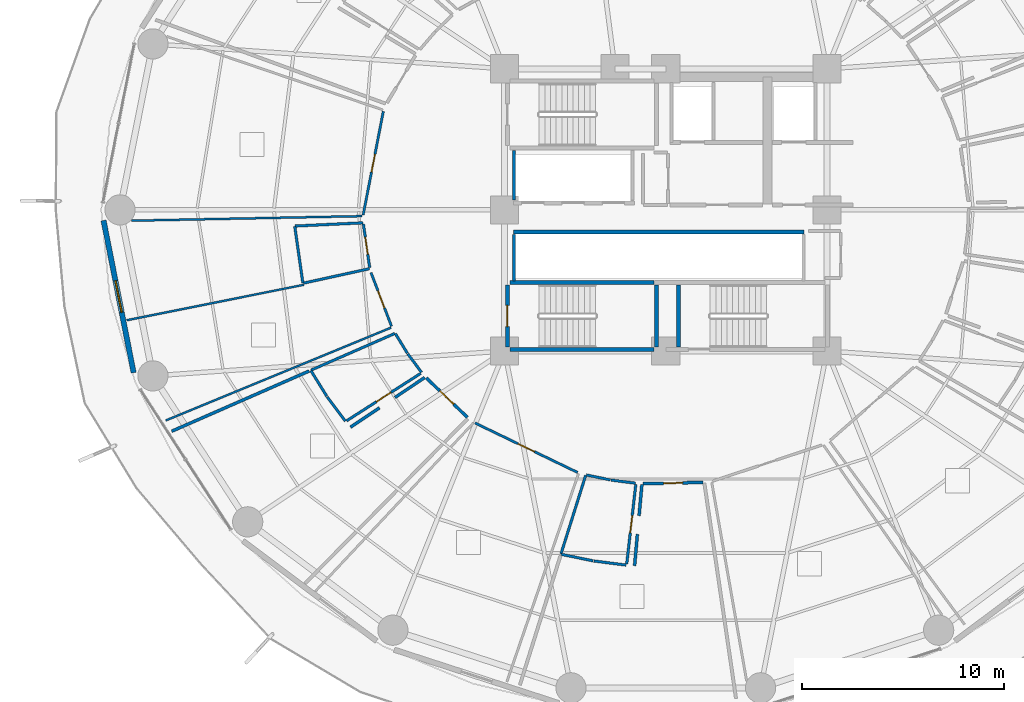
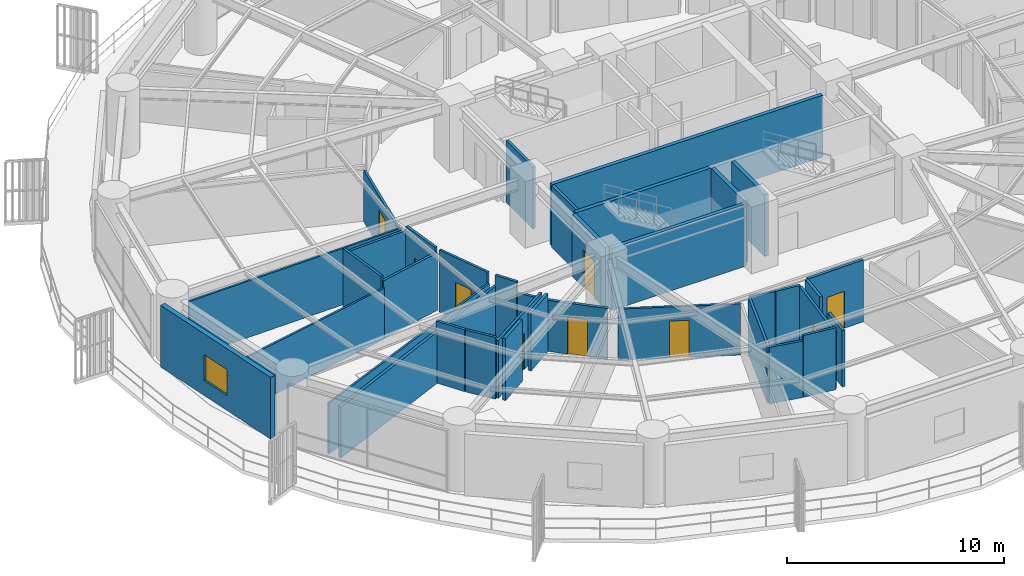
# One storey, part 24 of 34: 38 walls, 9 doors, 1 window, 10 openings.
"""IFC4 building model written with IfcOpenShell, lengths in metres."""

import ifcopenshell
import ifcopenshell.guid

model = None  # the IFC model being written
_history = None  # IfcOwnerHistory: only IFC2X3 demands one
_inside = {}  # id of a spatial element -> (the spatial element, [elements in it])
_under = {}  # id of a project, library or spatial element -> (it, [spatial elements below it])
_declared = {}  # id of a project -> (the project, [libraries it declares])
_typed = {}  # id of a type object -> (the type object, [elements of that type])
_made_of = {}  # id of a material, layer set ... -> (it, [elements and type objects made of it])


def new_model(schema):
    """Start an empty IFC model of exactly this schema.

    Asked for "IFC4X3", IfcOpenShell would pick the latest addendum, in which some entities
    have other attributes; the version numbers below select the first issue.
    IFC2X3 requires an IfcOwnerHistory on every rooted entity: one is made here for all.
    """
    global model, _history
    if schema == "IFC4X3":
        model = ifcopenshell.file(schema_version=(4, 3, 0, 0))
    else:
        model = ifcopenshell.file(schema=schema)
    _inside.clear()
    _under.clear()
    _declared.clear()
    _typed.clear()
    _made_of.clear()
    _history = None
    if model.schema == "IFC2X3":
        org = make("IfcOrganization", Name="unknown")
        user = make(
            "IfcPersonAndOrganization",
            ThePerson=make("IfcPerson", FamilyName="unknown"),
            TheOrganization=org,
        )
        app = make(
            "IfcApplication",
            ApplicationDeveloper=org,
            Version="unknown",
            ApplicationFullName="unknown",
            ApplicationIdentifier="unknown",
        )
        _history = make(
            "IfcOwnerHistory",
            OwningUser=user,
            OwningApplication=app,
            ChangeAction="ADDED",
            CreationDate=0,
        )
    return model


def make(cls, **values):
    """One entity of the class cls with the attributes given. An attribute that is None is left unset."""
    return model.create_entity(
        cls, **{name: value for name, value in values.items() if value is not None}
    )


def rooted(cls, **values):
    """An entity with a GlobalId (a new one), such as an element, a storey or a relation."""
    return make(cls, GlobalId=ifcopenshell.guid.new(), OwnerHistory=_history, **values)


def si_unit(unit_type, name, prefix=None):
    """IfcSIUnit, for example si_unit("LENGTHUNIT", "METRE", prefix="MILLI")."""
    return make("IfcSIUnit", UnitType=unit_type, Prefix=prefix, Name=name)


def assignment(units):
    """IfcUnitAssignment: the units of a project."""
    return None if units is None else make("IfcUnitAssignment", Units=units)


def point(xyz):
    """IfcCartesianPoint."""
    return None if xyz is None else make("IfcCartesianPoint", Coordinates=xyz)


def direction(xyz):
    """IfcDirection."""
    return None if xyz is None else make("IfcDirection", DirectionRatios=xyz)


def frame(location, z_axis=None, x_axis=None):
    """IfcAxis2Placement3D, a coordinate frame: its origin and axes. An axis left out is left unset."""
    return make(
        "IfcAxis2Placement3D",
        Location=point(location),
        Axis=direction(z_axis),
        RefDirection=direction(x_axis),
    )


def frame_2d(location, x_axis=None):
    """IfcAxis2Placement2D, a coordinate frame in the plane: its origin and x axis."""
    return make(
        "IfcAxis2Placement2D", Location=point(location), RefDirection=direction(x_axis)
    )


def origin():
    """The frame at (0, 0, 0) with its axes left unset."""
    return frame((0.0, 0.0, 0.0))


def place(relative_to, where):
    """IfcLocalPlacement: puts the frame where relative to a parent placement (None: the world)."""
    return make(
        "IfcLocalPlacement", PlacementRelTo=relative_to, RelativePlacement=where
    )


def context(
    kind, dimensions, precision=None, world=None, true_north=None, identifier=None
):
    """IfcGeometricRepresentationContext, for example the 3D "Model" context."""
    return make(
        "IfcGeometricRepresentationContext",
        ContextIdentifier=identifier,
        ContextType=kind,
        CoordinateSpaceDimension=dimensions,
        Precision=precision,
        WorldCoordinateSystem=world,
        TrueNorth=true_north,
    )


def subcontext(parent, identifier, kind, view, scale=None):
    """IfcGeometricRepresentationSubContext, for example "Body" below "Model"."""
    return make(
        "IfcGeometricRepresentationSubContext",
        ContextIdentifier=identifier,
        ContextType=kind,
        ParentContext=parent,
        TargetScale=scale,
        TargetView=view,
    )


def project(units=None, contexts=None):
    """IfcProject with its units and contexts."""
    return rooted(
        "IfcProject",
        Name="project",
        RepresentationContexts=contexts,
        UnitsInContext=assignment(units),
    )


def spatial(cls, under=None, at=None, **own):
    """A site, building, storey or space (cls), placed at a placement, below another one or the project."""
    s = rooted(cls, ObjectPlacement=at, **own)
    if under is not None:
        _under.setdefault(under.id(), (under, []))[1].append(s)
    return s


def profile(cls, at=None, kind="AREA", **sizes):
    """A parametric profile (cls). Its sizes go by their IFC names, for example OverallWidth=200.0."""
    return make(cls, ProfileType=kind, Position=at, **sizes)


def rectangle(**sizes):
    """IfcRectangleProfileDef."""
    return profile("IfcRectangleProfileDef", **sizes)


def extrude(swept, where, along, depth):
    """IfcExtrudedAreaSolid: the profile swept, set in the frame where, extruded along a direction by depth."""
    return make(
        "IfcExtrudedAreaSolid",
        SweptArea=swept,
        Position=where,
        ExtrudedDirection=direction(along),
        Depth=depth,
    )


def shape(context_of_items, identifier, shape_type, items):
    """IfcShapeRepresentation: the items that make up one representation, for example the "Body"."""
    return make(
        "IfcShapeRepresentation",
        ContextOfItems=context_of_items,
        RepresentationIdentifier=identifier,
        RepresentationType=shape_type,
        Items=items,
    )


def material(Name=None, Category=None):
    """IfcMaterial."""
    return make("IfcMaterial", Name=Name, Category=Category)


def layer(
    of_material, thickness, ventilated=None, Name=None, Category=None, Priority=None
):
    """IfcMaterialLayer: one layer of a wall or slab, of a material (None: an air gap)."""
    return make(
        "IfcMaterialLayer",
        Material=of_material,
        LayerThickness=thickness,
        IsVentilated=ventilated,
        Name=Name,
        Category=Category,
        Priority=Priority,
    )


def layer_set(layers, Name=None):
    """IfcMaterialLayerSet."""
    return make("IfcMaterialLayerSet", MaterialLayers=layers, LayerSetName=Name)


def made_of(thing, what):
    """Note that an element or type object is made of a material, layer set ...; save() writes the relation."""
    if what is not None:
        _made_of.setdefault(what.id(), (what, []))[1].append(thing)
    return thing


def type_object(cls, material=None, **own):
    """A type object (cls), such as IfcWallType, which elements share."""
    return made_of(rooted(cls, **own), material)


def element(
    cls,
    number,
    at=None,
    inside=None,
    cuts=None,
    type_object=None,
    material=None,
    context=None,
    identifier="Body",
    shape_type=None,
    held_by="IfcProductDefinitionShape",
    body=None,
    shapes=None,
    **own,
):
    """One element of the class cls, such as IfcWall. Its Tag is "e" and its number.

    at: its placement. inside: the storey or other place that contains it. cuts: it is an
    opening in that element (IfcRelVoidsElement). A single representation is given by context,
    identifier, shape_type and body (its items); several are given by shapes. held_by: the class
    of the entity that holds the representations. save() writes the other relations.
    """
    e = rooted(cls, Tag="e%d" % number, ObjectPlacement=at, **own)
    if body is not None:
        shapes = [shape(context, identifier, shape_type, body)]
    if shapes is not None:
        e.Representation = make(held_by, Representations=shapes)
    if inside is not None:
        _inside.setdefault(inside.id(), (inside, []))[1].append(e)
    if cuts is not None:
        rooted(
            "IfcRelVoidsElement", RelatingBuildingElement=cuts, RelatedOpeningElement=e
        )
    if type_object is not None:
        _typed.setdefault(type_object.id(), (type_object, []))[1].append(e)
    return made_of(e, material)


def fill(opening, filler):
    """IfcRelFillsElement: the door or window that sits in an opening."""
    return rooted(
        "IfcRelFillsElement",
        RelatingOpeningElement=opening,
        RelatedBuildingElement=filler,
    )


def aggregate(whole, parts):
    """IfcRelAggregates: a whole, such as a stair, and the parts it consists of."""
    return rooted("IfcRelAggregates", RelatingObject=whole, RelatedObjects=parts)


def save(model, path):
    """Write the relations noted so far, then the file.

    IfcRelAggregates (storeys below a building ...), IfcRelContainedInSpatialStructure (elements
    in a storey), IfcRelDefinesByType, IfcRelAssociatesMaterial and IfcRelDeclares: one each for
    every whole, place, type object, material and project.
    """
    for whole, parts in _under.values():
        aggregate(whole, parts)
    for where, things in _inside.values():
        rooted(
            "IfcRelContainedInSpatialStructure",
            RelatedElements=things,
            RelatingStructure=where,
        )
    for kind, things in _typed.values():
        rooted("IfcRelDefinesByType", RelatedObjects=things, RelatingType=kind)
    for what, things in _made_of.values():
        rooted("IfcRelAssociatesMaterial", RelatedObjects=things, RelatingMaterial=what)
    for by, libraries in _declared.values():
        rooted("IfcRelDeclares", RelatingContext=by, RelatedDefinitions=libraries)
    model.write(path)


model = new_model("IFC4")

# Units and contexts
model_context = context("Model", 3, precision=1e-05, world=origin(), true_north=direction((0.0, 1.0)))
body_context = subcontext(model_context, "Body", "Model", "MODEL_VIEW")
ifc_project = project(units=[si_unit("LENGTHUNIT", "METRE"), si_unit("AREAUNIT", "SQUARE_METRE"), si_unit("VOLUMEUNIT", "CUBIC_METRE"), si_unit("PLANEANGLEUNIT", "RADIAN"), si_unit("MASSUNIT", "GRAM", prefix="KILO")], contexts=[model_context])

# Site, building, storey
site_placement = place(None, origin())
site = spatial("IfcSite", under=ifc_project, at=site_placement, CompositionType="ELEMENT")
building_placement = place(site_placement, origin())
building = spatial("IfcBuilding", under=site, at=building_placement, Name="Kelanora Arch Commons", CompositionType="ELEMENT")
storey_placement = place(building_placement, frame((0.0, 0.0, 33.75)))
storey = spatial("IfcBuildingStorey", under=building, at=storey_placement, Name="L08", CompositionType="ELEMENT", Elevation=33.75)

# Walls
ifc_material_1 = material(Name="Autoclaved aerated concrete blockwork with fire plaster", Category="masonry")
ifc_layer_1 = layer(ifc_material_1, 0.14990234375)
ifc_layer_set_1 = layer_set([ifc_layer_1], Name="Autoclaved aerated concrete blockwork with fire plaster")
wall_type_1 = type_object("IfcWallType", Name="W-COMP-150", PredefinedType="PARTITIONING", material=ifc_layer_set_1)
wall_1_placement = place(storey_placement, frame((66.4599609375, 58.47998046875, 0.0), z_axis=(0.0, 0.0, 1.0), x_axis=(0.0, 1.0, 0.0)))
element("IfcWall", 1, at=wall_1_placement, inside=storey, type_object=wall_type_1, Name="Low-Rise Lift Bank West Wall L08", PredefinedType="PARTITIONING", context=body_context, shape_type="SweptSolid", body=[
    extrude(rectangle(XDim=2.4599609375, YDim=0.14990234375, at=frame_2d((1.22998046875, 0.0))), origin(), (0.0, 0.0, 1.0), 3.47998046875),
])
wall_2_placement = place(storey_placement, frame((66.4599609375, 54.47998046875, 0.0), z_axis=(0.0, 0.0, 1.0), x_axis=(0.0, 1.0, 0.0)))
element("IfcWall", 2, at=wall_2_placement, inside=storey, type_object=wall_type_1, Name="South Lift Bank West Wall L08", PredefinedType="PARTITIONING", context=body_context, shape_type="SweptSolid", body=[
    extrude(rectangle(XDim=2.2900390625, YDim=0.14990234375, at=frame_2d((1.14501953125, 0.0))), origin(), (0.0, 0.0, 1.0), 3.47998046875),
])

# Wall, opening, door
wall_3_placement = place(storey_placement, frame((62.118408203125, 49.66259765625, 0.0), z_axis=(0.0, 0.0, 1.0), x_axis=(0.721698326825, -0.692207718144, 0.0)))
wall_3 = element("IfcWall", 3, at=wall_3_placement, inside=storey, type_object=wall_type_1, Name="Co-Living Studio L08-09 Entry Partition", PredefinedType="PARTITIONING", context=body_context, shape_type="SweptSolid", body=[
    extrude(rectangle(XDim=2.822998046875, YDim=0.14990234375, at=frame_2d((1.41162109375, 0.0))), origin(), (0.0, 0.0, 1.0), 2.875),
])
opening_1_placement = place(wall_3_placement, frame((0.93603515625, 0.0, 0.0)))
opening_1 = element("IfcOpeningElement", 4, at=opening_1_placement, cuts=wall_3, Name="Opening D-CLU1", PredefinedType="OPENING", context=body_context, shape_type="SweptSolid", body=[
    extrude(rectangle(XDim=0.949951171875, YDim=2.080078125, at=frame_2d((0.47509765625, 1.0400390625))), frame((0.0, 0.0849609375, 0.0), z_axis=(0.0, -1.0, 0.0), x_axis=(1.0, 0.0, 0.0)), (0.0, 0.0, 1.0), 0.169921875),
])
ifc_material_2 = material(Name="Solid-core acoustic timber cluster entry fire door", Category="wood")
door_type_1 = type_object("IfcDoorType", Name="D-CLU-95", OperationType="NOTDEFINED", PredefinedType="DOOR", material=ifc_material_2)
door_1_placement = place(opening_1_placement, origin())
door_1 = element("IfcDoor", 5, at=door_1_placement, inside=storey, type_object=door_type_1, Name="Co-Living Studio L08-09 Door", OperationType="SINGLE_SWING_RIGHT", OverallHeight=2.080078125, OverallWidth=0.949951171875, PredefinedType="DOOR", context=body_context, shape_type="SweptSolid", body=[
    extrude(rectangle(XDim=0.949951171875, YDim=2.080078125, at=frame_2d((0.47509765625, 1.0400390625))), frame((0.0, 0.02490234375, 0.0), z_axis=(0.0, -1.0, 0.0), x_axis=(1.0, 0.0, 0.0)), (0.0, 0.0, 1.0), 0.050048828125),
])
fill(opening_1, door_1)

wall_4_placement = place(storey_placement, frame((72.87890625, 44.413330078125, 0.0), z_axis=(0.0, 0.0, 1.0), x_axis=(0.999757617916, 0.022016026426, 0.0)))
wall_4 = element("IfcWall", 6, at=wall_4_placement, inside=storey, type_object=wall_type_1, Name="Co-Living Studio L08-11 Entry Partition", PredefinedType="PARTITIONING", context=body_context, shape_type="SweptSolid", body=[
    extrude(rectangle(XDim=2.971923828125, YDim=0.14990234375, at=frame_2d((1.48583984375, 0.0))), origin(), (0.0, 0.0, 1.0), 3.47998046875),
])
opening_2_placement = place(wall_4_placement, frame((1.010986328125, 0.0, 0.0)))
opening_2 = element("IfcOpeningElement", 7, at=opening_2_placement, cuts=wall_4, Name="Opening D-CLU1", PredefinedType="OPENING", context=body_context, shape_type="SweptSolid", body=[
    extrude(rectangle(XDim=0.949951171875, YDim=2.080078125, at=frame_2d((0.47509765625, 1.0400390625))), frame((0.0, 0.0849609375, 0.0), z_axis=(0.0, -1.0, 0.0), x_axis=(1.0, 0.0, 0.0)), (0.0, 0.0, 1.0), 0.169921875),
])
door_2_placement = place(opening_2_placement, origin())
door_2 = element("IfcDoor", 8, at=door_2_placement, inside=storey, type_object=door_type_1, Name="Co-Living Studio L08-11 Door", OperationType="SINGLE_SWING_LEFT", OverallHeight=2.080078125, OverallWidth=0.949951171875, PredefinedType="DOOR", context=body_context, shape_type="SweptSolid", body=[
    extrude(rectangle(XDim=0.949951171875, YDim=2.080078125, at=frame_2d((0.47509765625, 1.0400390625))), frame((0.0, 0.02490234375, 0.0), z_axis=(0.0, -1.0, 0.0), x_axis=(1.0, 0.0, 0.0)), (0.0, 0.0, 1.0), 0.050048828125),
])
fill(opening_2, door_2)

# Walls
wall_5_placement = place(storey_placement, frame((49.486572265625, 47.01708984375, 0.0), z_axis=(0.0, 0.0, 1.0), x_axis=(0.915920983282, 0.401358633124, 0.0)))
element("IfcWall", 9, at=wall_5_placement, inside=storey, type_object=wall_type_1, Name="Co-Living Studio L08-09 Enclosure Partition 5", PredefinedType="PARTITIONING", context=body_context, shape_type="SweptSolid", body=[
    extrude(rectangle(XDim=7.448974609375, YDim=0.14990234375, at=frame_2d((3.724609375, 0.0))), origin(), (0.0, 0.0, 1.0), 2.875),
])
wall_6_placement = place(storey_placement, frame((58.354248046875, 47.21630859375, 0.0), z_axis=(0.0, 0.0, 1.0), x_axis=(0.831292382958, 0.555835383937, 0.0)))
element("IfcWall", 10, at=wall_6_placement, inside=storey, type_object=wall_type_1, Name="Co-Living Studio L08-09 Enclosure Partition 7", PredefinedType="PARTITIONING", context=body_context, shape_type="SweptSolid", body=[
    extrude(rectangle(XDim=1.736328125, YDim=0.14990234375, at=frame_2d((0.8681640625, 0.0))), origin(), (0.0, 0.0, 1.0), 3.47998046875),
])
wall_7_placement = place(storey_placement, frame((60.562744140625, 48.69287109375, 0.0), z_axis=(0.0, 0.0, 1.0), x_axis=(0.831268380724, 0.555871279352, 0.0)))
element("IfcWall", 11, at=wall_7_placement, inside=storey, type_object=wall_type_1, Name="Co-Living Studio L08-09 Enclosure Partition 7", PredefinedType="PARTITIONING", context=body_context, shape_type="SweptSolid", body=[
    extrude(rectangle(XDim=1.779296875, YDim=0.14990234375, at=frame_2d((0.8896484375, 0.0))), origin(), (0.0, 0.0, 1.0), 3.235107421875),
])
wall_8_placement = place(storey_placement, frame((72.45166015625, 40.341796875, 0.0), z_axis=(0.0, 0.0, 1.0), x_axis=(0.089821137984, 0.995957912349, 0.0)))
element("IfcWall", 12, at=wall_8_placement, inside=storey, type_object=wall_type_1, Name="Co-Living Studio L08-11 Enclosure Partition 7", PredefinedType="PARTITIONING", context=body_context, shape_type="SweptSolid", body=[
    extrude(rectangle(XDim=1.571044921875, YDim=0.14990234375, at=frame_2d((0.78564453125, 0.0))), origin(), (0.0, 0.0, 1.0), 3.175048828125),
])
wall_9_placement = place(storey_placement, frame((72.675537109375, 42.822998046875, 0.0), z_axis=(0.0, 0.0, 1.0), x_axis=(0.089927260711, 0.9959483359, 0.0)))
element("IfcWall", 13, at=wall_9_placement, inside=storey, type_object=wall_type_1, Name="Co-Living Studio L08-11 Enclosure Partition 7", PredefinedType="PARTITIONING", context=body_context, shape_type="SweptSolid", body=[
    extrude(rectangle(XDim=1.5556640625, YDim=0.14990234375, at=frame_2d((0.77783203125, 0.0))), origin(), (0.0, 0.0, 1.0), 3.47998046875),
])

# Wall, opening, window
ifc_material_3 = material(Name="Precast concrete C40/50 with terracotta rainscreen", Category="masonry")
ifc_layer_2 = layer(ifc_material_3, 0.260009765625)
ifc_layer_set_2 = layer_set([ifc_layer_2], Name="Precast concrete C40/50 with terracotta rainscreen")
wall_type_2 = type_object("IfcWallType", Name="W-EXT-TC", PredefinedType="SOLIDWALL", material=ifc_layer_set_2)
wall_10_placement = place(storey_placement, frame((46.103515625, 57.4765625, 0.0), z_axis=(0.0, 0.0, 1.0), x_axis=(0.193726159581, -0.98105564322, 0.0)))
wall_10 = element("IfcWall", 14, at=wall_10_placement, inside=storey, type_object=wall_type_2, Name="Terracotta Exterior Wall L08-B09", PredefinedType="SOLIDWALL", context=body_context, shape_type="SweptSolid", body=[
    extrude(rectangle(XDim=7.70263671875, YDim=0.260009765625, at=frame_2d((3.851318359375, 0.0))), origin(), (0.0, 0.0, 1.0), 3.47509765625),
])
opening_3_placement = place(wall_10_placement, frame((3.051025390625, 0.0, 0.85009765625)))
opening_3 = element("IfcOpeningElement", 15, at=opening_3_placement, cuts=wall_10, Name="Opening WN-01", PredefinedType="OPENING", context=body_context, shape_type="SweptSolid", body=[
    extrude(rectangle(XDim=1.60009765625, YDim=1.449951171875, at=frame_2d((0.800048828125, 0.72509765625))), frame((0.0, 0.14013671875, 0.0), z_axis=(0.0, -1.0, 0.0), x_axis=(1.0, 0.0, 0.0)), (0.0, 0.0, 1.0), 0.280029296875),
])
ifc_material_4 = material(Name="Terracotta-anodised aluminium frame with operable low-E glazing", Category="masonry")
window_type = type_object("IfcWindowType", Name="WIN-CL-18", PartitioningType="DOUBLE_PANEL_VERTICAL", PredefinedType="WINDOW", material=ifc_material_4)
window_placement = place(opening_3_placement, origin())
window = element("IfcWindow", 16, at=window_placement, inside=storey, type_object=window_type, Name="Co-Living Operable Window L08-B09", OverallHeight=1.449951171875, OverallWidth=1.60009765625, PartitioningType="SINGLE_PANEL", PredefinedType="WINDOW", context=body_context, shape_type="SweptSolid", body=[
    extrude(rectangle(XDim=1.60009765625, YDim=1.449951171875, at=frame_2d((0.800048828125, 0.72509765625))), frame((0.0, 0.030029296875, 0.0), z_axis=(0.0, -1.0, 0.0), x_axis=(1.0, 0.0, 0.0)), (0.0, 0.0, 1.0), 0.06005859375),
])
fill(opening_3, window)

# Walls
ifc_material_5 = material(Name="Concrete C40/50", Category="concrete")
ifc_layer_3 = layer(ifc_material_5, 0.199951171875)
ifc_layer_set_3 = layer_set([ifc_layer_3], Name="Concrete C40/50")
wall_type_3 = type_object("IfcWallType", Name="W-FFL-200", PredefinedType="SOLIDWALL", material=ifc_layer_set_3)
wall_11_placement = place(storey_placement, frame((66.449951171875, 56.89990234375, 0.0), z_axis=(0.0, 0.0, 1.0), x_axis=(1.0, 0.0, 0.0)))
element("IfcWall", 17, at=wall_11_placement, inside=storey, type_object=wall_type_3, Name="Mid/High/Express Lift Shaft Front L08", PredefinedType="SOLIDWALL", context=body_context, shape_type="SweptSolid", body=[
    extrude(rectangle(XDim=14.400146484375, YDim=0.199951171875, at=frame_2d((7.2001953125, 0.0))), origin(), (0.0, 0.0, 1.0), 3.47998046875),
])
ifc_material_6 = material(Name="Lightweight fire-rated acoustic stud partition")
ifc_layer_4 = layer(ifc_material_6, 0.10009765625)
ifc_layer_set_4 = layer_set([ifc_layer_4], Name="Lightweight fire-rated acoustic stud partition")
wall_type_4 = type_object("IfcWallType", Name="W-PART-100", PredefinedType="PARTITIONING", material=ifc_layer_set_4)
wall_12_placement = place(storey_placement, frame((58.93408203125, 57.690185546875, 0.0), z_axis=(0.0, 0.0, 1.0), x_axis=(-0.999804870307, -0.019754020094, 0.0)))
element("IfcWall", 18, at=wall_12_placement, inside=storey, type_object=wall_type_4, Name="Quiet Seminar Study Room L08-07 Enclosure Partition 2", PredefinedType="PARTITIONING", context=body_context, shape_type="SweptSolid", body=[
    extrude(rectangle(XDim=11.456787109375, YDim=0.10009765625, at=frame_2d((5.728515625, 0.0))), origin(), (0.0, 0.0, 1.0), 3.175048828125),
])
wall_13_placement = place(storey_placement, frame((60.375, 52.159912109375, 0.0), z_axis=(0.0, 0.0, 1.0), x_axis=(-0.924608681042, -0.380918346817, 0.0)))
element("IfcWall", 19, at=wall_13_placement, inside=storey, type_object=wall_type_4, Name="Tutorial Study Alcove L08-08 Enclosure Partition 2", PredefinedType="PARTITIONING", context=body_context, shape_type="SweptSolid", body=[
    extrude(rectangle(XDim=12.09375, YDim=0.10009765625, at=frame_2d((6.046875, 0.0))), origin(), (0.0, 0.0, 1.0), 2.875),
])
wall_14_placement = place(storey_placement, frame((47.257080078125, 52.52490234375, 0.0), z_axis=(0.0, 0.0, 1.0), x_axis=(0.980535537362, 0.196341691878, 0.0)))
element("IfcWall", 20, at=wall_14_placement, inside=storey, type_object=wall_type_4, Name="Tutorial Study Alcove L08-08 Enclosure Partition 4", PredefinedType="PARTITIONING", context=body_context, shape_type="SweptSolid", body=[
    extrude(rectangle(XDim=8.950439453125, YDim=0.10009765625, at=frame_2d((4.47509765625, 0.0))), origin(), (0.0, 0.0, 1.0), 2.875),
])

# Wall, opening, door
ifc_material_7 = material(Name="Acoustic twin-stud fire-rated gypsum partition")
ifc_layer_5 = layer(ifc_material_7, 0.1201171875)
ifc_layer_set_5 = layer_set([ifc_layer_5], Name="Acoustic twin-stud fire-rated gypsum partition")
wall_type_5 = type_object("IfcWallType", Name="W-PART-120", PredefinedType="PARTITIONING", material=ifc_layer_set_5)
wall_15_placement = place(storey_placement, frame((59.985595703125, 62.89208984375, 0.0), z_axis=(0.0, 0.0, 1.0), x_axis=(-0.190897102704, -0.981610053015, 0.0)))
wall_15 = element("IfcWall", 21, at=wall_15_placement, inside=storey, type_object=wall_type_5, Name="Quiet Seminar Study Room L08-07 Entry Partition", PredefinedType="PARTITIONING", context=body_context, shape_type="SweptSolid", body=[
    extrude(rectangle(XDim=5.238525390625, YDim=0.1201171875, at=frame_2d((2.619140625, 0.0))), origin(), (0.0, 0.0, 1.0), 2.875),
])
opening_4_placement = place(wall_15_placement, frame((2.1689453125, 0.0, 0.0)))
opening_4 = element("IfcOpeningElement", 22, at=opening_4_placement, cuts=wall_15, Name="Opening D-RM1", PredefinedType="OPENING", context=body_context, shape_type="SweptSolid", body=[
    extrude(rectangle(XDim=0.89990234375, YDim=2.080078125, at=frame_2d((0.449951171875, 1.0400390625))), frame((0.0, 0.070068359375, 0.0), z_axis=(0.0, -1.0, 0.0), x_axis=(1.0, 0.0, 0.0)), (0.0, 0.0, 1.0), 0.14013671875),
])
ifc_material_8 = material(Name="Acoustic fire-rated timber study and lounge door", Category="wood")
door_type_2 = type_object("IfcDoorType", Name="D-ROOM-90", OperationType="NOTDEFINED", PredefinedType="DOOR", material=ifc_material_8)
door_3_placement = place(opening_4_placement, origin())
door_3 = element("IfcDoor", 23, at=door_3_placement, inside=storey, type_object=door_type_2, Name="Quiet Seminar Study Room L08-07 Door", OperationType="SINGLE_SWING_RIGHT", OverallHeight=2.080078125, OverallWidth=0.89990234375, PredefinedType="DOOR", context=body_context, shape_type="SweptSolid", body=[
    extrude(rectangle(XDim=0.89990234375, YDim=2.080078125, at=frame_2d((0.449951171875, 1.0400390625))), frame((0.0, 0.02490234375, 0.0), z_axis=(0.0, -1.0, 0.0), x_axis=(1.0, 0.0, 0.0)), (0.0, 0.0, 1.0), 0.050048828125),
])
fill(opening_4, door_3)

wall_16_placement = place(storey_placement, frame((59.373291015625, 54.89111328125, 0.0), z_axis=(0.0, 0.0, 1.0), x_axis=(0.357203455119, -0.934026601147, 0.0)))
wall_16 = element("IfcWall", 24, at=wall_16_placement, inside=storey, type_object=wall_type_5, Name="Tutorial Study Alcove L08-08 Entry Partition", PredefinedType="PARTITIONING", context=body_context, shape_type="SweptSolid", body=[
    extrude(rectangle(XDim=2.84814453125, YDim=0.1201171875, at=frame_2d((1.424072265625, 0.0))), origin(), (0.0, 0.0, 1.0), 3.47998046875),
])
opening_5_placement = place(wall_16_placement, frame((0.97412109375, 0.0, 0.0)))
opening_5 = element("IfcOpeningElement", 25, at=opening_5_placement, cuts=wall_16, Name="Opening D-RM1", PredefinedType="OPENING", context=body_context, shape_type="SweptSolid", body=[
    extrude(rectangle(XDim=0.89990234375, YDim=2.080078125, at=frame_2d((0.449951171875, 1.0400390625))), frame((0.0, 0.070068359375, 0.0), z_axis=(0.0, -1.0, 0.0), x_axis=(1.0, 0.0, 0.0)), (0.0, 0.0, 1.0), 0.14013671875),
])
door_4_placement = place(opening_5_placement, origin())
door_4 = element("IfcDoor", 26, at=door_4_placement, inside=storey, type_object=door_type_2, Name="Tutorial Study Alcove L08-08 Door", OperationType="SINGLE_SWING_RIGHT", OverallHeight=2.080078125, OverallWidth=0.89990234375, PredefinedType="DOOR", context=body_context, shape_type="SweptSolid", body=[
    extrude(rectangle(XDim=0.89990234375, YDim=2.080078125, at=frame_2d((0.449951171875, 1.0400390625))), frame((0.0, 0.02490234375, 0.0), z_axis=(0.0, -1.0, 0.0), x_axis=(1.0, 0.0, 0.0)), (0.0, 0.0, 1.0), 0.050048828125),
])
fill(opening_5, door_4)

wall_17_placement = place(storey_placement, frame((64.533935546875, 47.427001953125, 0.0), z_axis=(0.0, 0.0, 1.0), x_axis=(0.900751487373, -0.434334845477, 0.0)))
wall_17 = element("IfcWall", 27, at=wall_17_placement, inside=storey, type_object=wall_type_5, Name="Social Sky Lounge L08-10 Entry Partition", PredefinedType="PARTITIONING", context=body_context, shape_type="SweptSolid", body=[
    extrude(rectangle(XDim=5.654296875, YDim=0.1201171875, at=frame_2d((2.8271484375, 0.0))), origin(), (0.0, 0.0, 1.0), 2.875),
])
opening_6_placement = place(wall_17_placement, frame((2.376953125, 0.0, 0.0)))
opening_6 = element("IfcOpeningElement", 28, at=opening_6_placement, cuts=wall_17, Name="Opening D-RM1", PredefinedType="OPENING", context=body_context, shape_type="SweptSolid", body=[
    extrude(rectangle(XDim=0.89990234375, YDim=2.080078125, at=frame_2d((0.449951171875, 1.0400390625))), frame((0.0, 0.070068359375, 0.0), z_axis=(0.0, -1.0, 0.0), x_axis=(1.0, 0.0, 0.0)), (0.0, 0.0, 1.0), 0.14013671875),
])
door_5_placement = place(opening_6_placement, origin())
door_5 = element("IfcDoor", 29, at=door_5_placement, inside=storey, type_object=door_type_2, Name="Social Sky Lounge L08-10 Door", OperationType="SINGLE_SWING_LEFT", OverallHeight=2.080078125, OverallWidth=0.89990234375, PredefinedType="DOOR", context=body_context, shape_type="SweptSolid", body=[
    extrude(rectangle(XDim=0.89990234375, YDim=2.080078125, at=frame_2d((0.449951171875, 1.0400390625))), frame((0.0, 0.02490234375, 0.0), z_axis=(0.0, -1.0, 0.0), x_axis=(1.0, 0.0, 0.0)), (0.0, 0.0, 1.0), 0.050048828125),
])
fill(opening_6, door_5)

# Walls
ifc_layer_6 = layer(ifc_material_5, 0.199951171875)
ifc_layer_set_6 = layer_set([ifc_layer_6], Name="Concrete C40/50")
wall_type_6 = type_object("IfcWallType", Name="W-STAIR-200", PredefinedType="SHEAR", material=ifc_layer_set_6)
wall_18_placement = place(storey_placement, frame((74.6201171875, 54.27001953125, 0.0), z_axis=(0.0, 0.0, 1.0), x_axis=(0.0, -1.0, 0.0)))
element("IfcWall", 30, at=wall_18_placement, inside=storey, type_object=wall_type_6, Name="Stair ST-T2 Shaft Wall W L08", PredefinedType="SHEAR", context=body_context, shape_type="SweptSolid", body=[
    extrude(rectangle(XDim=3.070068359375, YDim=0.199951171875, at=frame_2d((1.53515625, 0.0))), origin(), (0.0, 0.0, 1.0), 3.489990234375),
])
wall_19_placement = place(storey_placement, frame((66.260009765625, 51.080078125, 0.0), z_axis=(0.0, 0.0, 1.0), x_axis=(1.0, 0.0, 0.0)))
element("IfcWall", 31, at=wall_19_placement, inside=storey, type_object=wall_type_6, Name="Stair ST-T3 Shaft Wall S L08", PredefinedType="SHEAR", context=body_context, shape_type="SweptSolid", body=[
    extrude(rectangle(XDim=7.159912109375, YDim=0.199951171875, at=frame_2d((3.580078125, 0.0))), origin(), (0.0, 0.0, 1.0), 3.489990234375),
])
wall_20_placement = place(storey_placement, frame((73.5400390625, 51.199951171875, 0.0), z_axis=(0.0, 0.0, 1.0), x_axis=(0.0, 1.0, 0.0)))
element("IfcWall", 32, at=wall_20_placement, inside=storey, type_object=wall_type_6, Name="Stair ST-T3 Shaft Wall E L08", PredefinedType="SHEAR", context=body_context, shape_type="SweptSolid", body=[
    extrude(rectangle(XDim=3.070068359375, YDim=0.199951171875, at=frame_2d((1.53515625, 0.0))), origin(), (0.0, 0.0, 1.0), 3.489990234375),
])
wall_21_placement = place(storey_placement, frame((73.419921875, 54.389892578125, 0.0), z_axis=(0.0, 0.0, 1.0), x_axis=(-1.0, 0.0, 0.0)))
element("IfcWall", 33, at=wall_21_placement, inside=storey, type_object=wall_type_6, Name="Stair ST-T3 Shaft Wall N L08", PredefinedType="SHEAR", context=body_context, shape_type="SweptSolid", body=[
    extrude(rectangle(XDim=7.159912109375, YDim=0.199951171875, at=frame_2d((3.580078125, 0.0))), origin(), (0.0, 0.0, 1.0), 3.489990234375),
])

# Wall, opening, door
wall_22_placement = place(storey_placement, frame((66.139892578125, 54.27001953125, 0.0), z_axis=(0.0, 0.0, 1.0), x_axis=(0.0, -1.0, 0.0)))
wall_22 = element("IfcWall", 34, at=wall_22_placement, inside=storey, type_object=wall_type_6, Name="Stair ST-T3 Shaft Wall W L08", PredefinedType="SHEAR", context=body_context, shape_type="SweptSolid", body=[
    extrude(rectangle(XDim=3.070068359375, YDim=0.199951171875, at=frame_2d((1.53515625, 0.0))), origin(), (0.0, 0.0, 1.0), 3.489990234375),
])
opening_7_placement = place(wall_22_placement, frame((1.010009765625, 0.0, 0.0)))
opening_7 = element("IfcOpeningElement", 35, at=opening_7_placement, cuts=wall_22, Name="Opening D-ST1", PredefinedType="OPENING", context=body_context, shape_type="SweptSolid", body=[
    extrude(rectangle(XDim=1.050048828125, YDim=2.10009765625, at=frame_2d((0.52490234375, 1.050048828125))), frame((0.0, 0.10986328125, 0.0), z_axis=(0.0, -1.0, 0.0), x_axis=(1.0, 0.0, 0.0)), (0.0, 0.0, 1.0), 0.219970703125),
])
ifc_material_9 = material(Name="Steel fire-rated stairwell escape door", Category="steel")
door_type_3 = type_object("IfcDoorType", Name="D-STAIR-110", OperationType="NOTDEFINED", PredefinedType="DOOR", material=ifc_material_9)
door_6_placement = place(opening_7_placement, origin())
door_6 = element("IfcDoor", 36, at=door_6_placement, inside=storey, type_object=door_type_3, Name="Stair ST-T3 Escape Door L08", OperationType="SINGLE_SWING_LEFT", OverallHeight=2.10009765625, OverallWidth=1.050048828125, PredefinedType="DOOR", context=body_context, shape_type="SweptSolid", body=[
    extrude(rectangle(XDim=1.050048828125, YDim=2.10009765625, at=frame_2d((0.52490234375, 1.050048828125))), frame((0.0, 0.02490234375, 0.0), z_axis=(0.0, -1.0, 0.0), x_axis=(1.0, 0.0, 0.0)), (0.0, 0.0, 1.0), 0.050048828125),
])
fill(opening_7, door_6)

ifc_material_10 = material(Name="Moisture-resistant fire-rated cement-board plumbing wall")
ifc_layer_7 = layer(ifc_material_10, 0.1298828125)
ifc_layer_set_7 = layer_set([ifc_layer_7], Name="Moisture-resistant fire-rated cement-board plumbing wall")
wall_type_7 = type_object("IfcWallType", Name="W-WET-120", PredefinedType="PLUMBINGWALL", material=ifc_layer_set_7)
wall_23_placement = place(storey_placement, frame((58.99560546875, 57.298583984375, 0.0), z_axis=(0.0, 0.0, 1.0), x_axis=(0.143746038715, -0.989614610014, 0.0)))
wall_23 = element("IfcWall", 37, at=wall_23_placement, inside=storey, type_object=wall_type_7, Name="Accessible Shared Floor WC L08-08 Entry Partition", PredefinedType="PLUMBINGWALL", context=body_context, shape_type="SweptSolid", body=[
    extrude(rectangle(XDim=2.17578125, YDim=0.1298828125, at=frame_2d((1.087890625, 0.0))), origin(), (0.0, 0.0, 1.0), 3.47998046875),
])
opening_8_placement = place(wall_23_placement, frame((0.657958984375, 0.0, 0.0)))
opening_8 = element("IfcOpeningElement", 38, at=opening_8_placement, cuts=wall_23, Name="Opening D-BT1", PredefinedType="OPENING", context=body_context, shape_type="SweptSolid", body=[
    extrude(rectangle(XDim=0.860107421875, YDim=2.050048828125, at=frame_2d((0.43017578125, 1.02490234375))), frame((0.0, 0.074951171875, 0.0), z_axis=(0.0, -1.0, 0.0), x_axis=(1.0, 0.0, 0.0)), (0.0, 0.0, 1.0), 0.14990234375),
])
ifc_material_11 = material(Name="Moisture-sealed fire-rated accessible bathroom door")
door_type_4 = type_object("IfcDoorType", Name="D-BATH-85", OperationType="NOTDEFINED", PredefinedType="DOOR", material=ifc_material_11)
door_7_placement = place(opening_8_placement, origin())
door_7 = element("IfcDoor", 39, at=door_7_placement, inside=storey, type_object=door_type_4, Name="Accessible Shared Floor WC L08-08 Door", OperationType="SINGLE_SWING_LEFT", OverallHeight=2.050048828125, OverallWidth=0.860107421875, PredefinedType="DOOR", context=body_context, shape_type="SweptSolid", body=[
    extrude(rectangle(XDim=0.860107421875, YDim=2.050048828125, at=frame_2d((0.43017578125, 1.02490234375))), frame((0.0, 0.02490234375, 0.0), z_axis=(0.0, -1.0, 0.0), x_axis=(1.0, 0.0, 0.0)), (0.0, 0.0, 1.0), 0.050048828125),
])
fill(opening_8, door_7)

wall_24_placement = place(storey_placement, frame((61.843505859375, 49.8896484375, 0.0), z_axis=(0.0, 0.0, 1.0), x_axis=(-0.842235862163, -0.539109221297, 0.0)))
wall_24 = element("IfcWall", 40, at=wall_24_placement, inside=storey, type_object=wall_type_7, Name="En-Suite Shower WC L08-09 Entry Partition", PredefinedType="PLUMBINGWALL", context=body_context, shape_type="SweptSolid", body=[
    extrude(rectangle(XDim=4.366943359375, YDim=0.1298828125, at=frame_2d((2.18359375, 0.0))), origin(), (0.0, 0.0, 1.0), 3.235107421875),
])
opening_9_placement = place(wall_24_placement, frame((1.75390625, 0.0, 0.0)))
opening_9 = element("IfcOpeningElement", 41, at=opening_9_placement, cuts=wall_24, Name="Opening D-BT1", PredefinedType="OPENING", context=body_context, shape_type="SweptSolid", body=[
    extrude(rectangle(XDim=0.860107421875, YDim=2.050048828125, at=frame_2d((0.43017578125, 1.02490234375))), frame((0.0, 0.074951171875, 0.0), z_axis=(0.0, -1.0, 0.0), x_axis=(1.0, 0.0, 0.0)), (0.0, 0.0, 1.0), 0.14990234375),
])
door_8_placement = place(opening_9_placement, origin())
door_8 = element("IfcDoor", 42, at=door_8_placement, inside=storey, type_object=door_type_4, Name="En-Suite Shower WC L08-09 Door", OperationType="SINGLE_SWING_LEFT", OverallHeight=2.050048828125, OverallWidth=0.860107421875, PredefinedType="DOOR", context=body_context, shape_type="SweptSolid", body=[
    extrude(rectangle(XDim=0.860107421875, YDim=2.050048828125, at=frame_2d((0.43017578125, 1.02490234375))), frame((0.0, 0.02490234375, 0.0), z_axis=(0.0, -1.0, 0.0), x_axis=(1.0, 0.0, 0.0)), (0.0, 0.0, 1.0), 0.050048828125),
])
fill(opening_9, door_8)

wall_25_placement = place(storey_placement, frame((72.51220703125, 44.37646484375, 0.0), z_axis=(0.0, 0.0, 1.0), x_axis=(-0.113232612293, -0.993568505697, 0.0)))
wall_25 = element("IfcWall", 43, at=wall_25_placement, inside=storey, type_object=wall_type_7, Name="En-Suite Shower WC L08-11 Entry Partition", PredefinedType="PLUMBINGWALL", context=body_context, shape_type="SweptSolid", body=[
    extrude(rectangle(XDim=3.969482421875, YDim=0.1298828125, at=frame_2d((1.98486328125, 0.0))), origin(), (0.0, 0.0, 1.0), 3.175048828125),
])
opening_10_placement = place(wall_25_placement, frame((1.554931640625, 0.0, 0.0)))
opening_10 = element("IfcOpeningElement", 44, at=opening_10_placement, cuts=wall_25, Name="Opening D-BT1", PredefinedType="OPENING", context=body_context, shape_type="SweptSolid", body=[
    extrude(rectangle(XDim=0.860107421875, YDim=2.050048828125, at=frame_2d((0.43017578125, 1.02490234375))), frame((0.0, 0.074951171875, 0.0), z_axis=(0.0, -1.0, 0.0), x_axis=(1.0, 0.0, 0.0)), (0.0, 0.0, 1.0), 0.14990234375),
])
door_9_placement = place(opening_10_placement, origin())
door_9 = element("IfcDoor", 45, at=door_9_placement, inside=storey, type_object=door_type_4, Name="En-Suite Shower WC L08-11 Door", OperationType="SINGLE_SWING_RIGHT", OverallHeight=2.050048828125, OverallWidth=0.860107421875, PredefinedType="DOOR", context=body_context, shape_type="SweptSolid", body=[
    extrude(rectangle(XDim=0.860107421875, YDim=2.050048828125, at=frame_2d((0.43017578125, 1.02490234375))), frame((0.0, 0.02490234375, 0.0), z_axis=(0.0, -1.0, 0.0), x_axis=(1.0, 0.0, 0.0)), (0.0, 0.0, 1.0), 0.050048828125),
])
fill(opening_10, door_9)

# Walls
wall_26_placement = place(storey_placement, frame((59.297607421875, 55.081787109375, 0.0), z_axis=(0.0, 0.0, 1.0), x_axis=(-0.97686777226, -0.213844231907, 0.0)))
element("IfcWall", 46, at=wall_26_placement, inside=storey, type_object=wall_type_7, Name="Accessible Shared Floor WC L08-08 Enclosure Partition 2", PredefinedType="PLUMBINGWALL", context=body_context, shape_type="SweptSolid", body=[
    extrude(rectangle(XDim=3.35986328125, YDim=0.1298828125, at=frame_2d((1.679931640625, 0.0))), origin(), (0.0, 0.0, 1.0), 3.235107421875),
])
wall_27_placement = place(storey_placement, frame((55.9931640625, 54.37890625, 0.0), z_axis=(0.0, 0.0, 1.0), x_axis=(-0.141590572172, 0.989925305198, 0.0)))
element("IfcWall", 47, at=wall_27_placement, inside=storey, type_object=wall_type_7, Name="Accessible Shared Floor WC L08-08 Enclosure Partition 3", PredefinedType="PLUMBINGWALL", context=body_context, shape_type="SweptSolid", body=[
    extrude(rectangle(XDim=2.827880859375, YDim=0.1298828125, at=frame_2d((1.4140625, 0.0))), origin(), (0.0, 0.0, 1.0), 3.47998046875),
])
wall_28_placement = place(storey_placement, frame((55.610107421875, 57.198974609375, 0.0), z_axis=(0.0, 0.0, 1.0), x_axis=(0.998891356447, 0.04707502538, 0.0)))
element("IfcWall", 48, at=wall_28_placement, inside=storey, type_object=wall_type_7, Name="Accessible Shared Floor WC L08-08 Enclosure Partition 4", PredefinedType="PLUMBINGWALL", context=body_context, shape_type="SweptSolid", body=[
    extrude(rectangle(XDim=3.360595703125, YDim=0.1298828125, at=frame_2d((1.68017578125, 0.0))), origin(), (0.0, 0.0, 1.0), 3.235107421875),
])
wall_29_placement = place(storey_placement, frame((60.58349609375, 51.85888671875, 0.0), z_axis=(0.0, 0.0, 1.0), x_axis=(0.52310141153, -0.852270446077, 0.0)))
element("IfcWall", 49, at=wall_29_placement, inside=storey, type_object=wall_type_7, Name="En-Suite Shower WC L08-09 Enclosure Partition 1", PredefinedType="PLUMBINGWALL", context=body_context, shape_type="SweptSolid", body=[
    extrude(rectangle(XDim=1.135498046875, YDim=0.1298828125, at=frame_2d((0.56787109375, 0.0))), origin(), (0.0, 0.0, 1.0), 3.47998046875),
])
wall_30_placement = place(storey_placement, frame((61.199951171875, 50.85791015625, 0.0), z_axis=(0.0, 0.0, 1.0), x_axis=(0.595625136946, -0.803262532574, 0.0)))
element("IfcWall", 50, at=wall_30_placement, inside=storey, type_object=wall_type_7, Name="En-Suite Shower WC L08-09 Enclosure Partition 2", PredefinedType="PLUMBINGWALL", context=body_context, shape_type="SweptSolid", body=[
    extrude(rectangle(XDim=1.145263671875, YDim=0.1298828125, at=frame_2d((0.57275390625, 0.0))), origin(), (0.0, 0.0, 1.0), 2.875),
])
wall_31_placement = place(storey_placement, frame((58.10302734375, 47.51904296875, 0.0), z_axis=(0.0, 0.0, 1.0), x_axis=(-0.599662382917, 0.800253101533, 0.0)))
element("IfcWall", 51, at=wall_31_placement, inside=storey, type_object=wall_type_7, Name="En-Suite Shower WC L08-09 Enclosure Partition 4", PredefinedType="PLUMBINGWALL", context=body_context, shape_type="SweptSolid", body=[
    extrude(rectangle(XDim=1.50439453125, YDim=0.1298828125, at=frame_2d((0.752197265625, 0.0))), origin(), (0.0, 0.0, 1.0), 3.47998046875),
])
wall_32_placement = place(storey_placement, frame((57.178466796875, 48.756103515625, 0.0), z_axis=(0.0, 0.0, 1.0), x_axis=(-0.526861637299, 0.849951066323, 0.0)))
element("IfcWall", 52, at=wall_32_placement, inside=storey, type_object=wall_type_7, Name="En-Suite Shower WC L08-09 Enclosure Partition 5", PredefinedType="PLUMBINGWALL", context=body_context, shape_type="SweptSolid", body=[
    extrude(rectangle(XDim=1.49169921875, YDim=0.1298828125, at=frame_2d((0.745849609375, 0.0))), origin(), (0.0, 0.0, 1.0), 3.47998046875),
])
wall_33_placement = place(storey_placement, frame((56.400390625, 50.049072265625, 0.0), z_axis=(0.0, 0.0, 1.0), x_axis=(0.91604857307, 0.401067340701, 0.0)))
element("IfcWall", 53, at=wall_33_placement, inside=storey, type_object=wall_type_7, Name="En-Suite Shower WC L08-09 Enclosure Partition 6", PredefinedType="PLUMBINGWALL", context=body_context, shape_type="SweptSolid", body=[
    extrude(rectangle(XDim=4.534912109375, YDim=0.1298828125, at=frame_2d((2.267578125, 0.0))), origin(), (0.0, 0.0, 1.0), 2.875),
])
wall_34_placement = place(storey_placement, frame((70.0537109375, 44.848876953125, 0.0), z_axis=(0.0, 0.0, 1.0), x_axis=(0.979121805859, -0.203274418684, 0.0)))
element("IfcWall", 54, at=wall_34_placement, inside=storey, type_object=wall_type_7, Name="En-Suite Shower WC L08-11 Enclosure Partition 1", PredefinedType="PLUMBINGWALL", context=body_context, shape_type="SweptSolid", body=[
    extrude(rectangle(XDim=1.218994140625, YDim=0.1298828125, at=frame_2d((0.609375, 0.0))), origin(), (0.0, 0.0, 1.0), 3.235107421875),
])
wall_35_placement = place(storey_placement, frame((71.286865234375, 44.594482421875, 0.0), z_axis=(0.0, 0.0, 1.0), x_axis=(0.991848040681, -0.127426308891, 0.0)))
element("IfcWall", 55, at=wall_35_placement, inside=storey, type_object=wall_type_7, Name="En-Suite Shower WC L08-11 Enclosure Partition 2", PredefinedType="PLUMBINGWALL", context=body_context, shape_type="SweptSolid", body=[
    extrude(rectangle(XDim=1.222412109375, YDim=0.1298828125, at=frame_2d((0.611328125, 0.0))), origin(), (0.0, 0.0, 1.0), 3.235107421875),
])
wall_36_placement = place(storey_placement, frame((72.0361328125, 40.37548828125, 0.0), z_axis=(0.0, 0.0, 1.0), x_axis=(-0.991984482756, 0.126359748222, 0.0)))
element("IfcWall", 56, at=wall_36_placement, inside=storey, type_object=wall_type_7, Name="En-Suite Shower WC L08-11 Enclosure Partition 4", PredefinedType="PLUMBINGWALL", context=body_context, shape_type="SweptSolid", body=[
    extrude(rectangle(XDim=1.615234375, YDim=0.1298828125, at=frame_2d((0.8076171875, 0.0))), origin(), (0.0, 0.0, 1.0), 3.47998046875),
])
wall_37_placement = place(storey_placement, frame((70.394287109375, 40.5859375, 0.0), z_axis=(0.0, 0.0, 1.0), x_axis=(-0.979464082354, 0.201618727747, 0.0)))
element("IfcWall", 57, at=wall_37_placement, inside=storey, type_object=wall_type_7, Name="En-Suite Shower WC L08-11 Enclosure Partition 5", PredefinedType="PLUMBINGWALL", context=body_context, shape_type="SweptSolid", body=[
    extrude(rectangle(XDim=1.61181640625, YDim=0.1298828125, at=frame_2d((0.805908203125, 0.0))), origin(), (0.0, 0.0, 1.0), 3.175048828125),
])
wall_38_placement = place(storey_placement, frame((68.802001953125, 40.93408203125, 0.0), z_axis=(0.0, 0.0, 1.0), x_axis=(0.299913557671, 0.953966381968, 0.0)))
element("IfcWall", 58, at=wall_38_placement, inside=storey, type_object=wall_type_7, Name="En-Suite Shower WC L08-11 Enclosure Partition 6", PredefinedType="PLUMBINGWALL", context=body_context, shape_type="SweptSolid", body=[
    extrude(rectangle(XDim=4.088134765625, YDim=0.1298828125, at=frame_2d((2.0439453125, 0.0))), origin(), (0.0, 0.0, 1.0), 3.175048828125),
])

save(model, "model.ifc")
